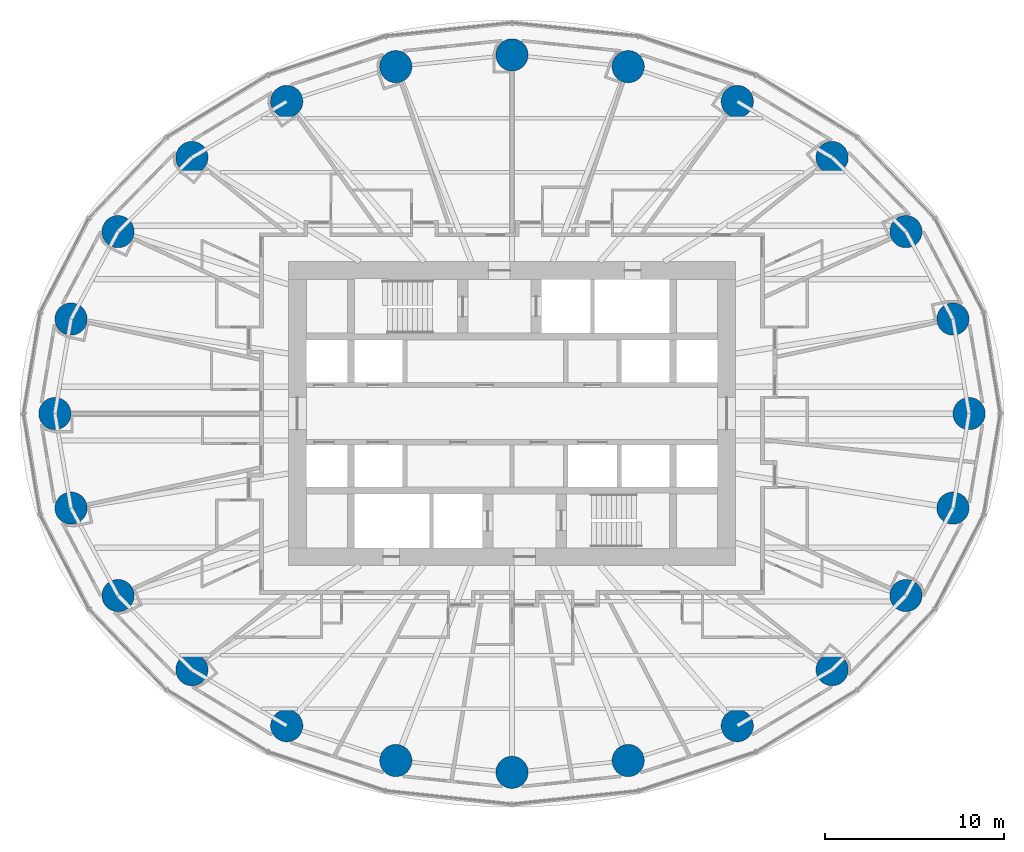
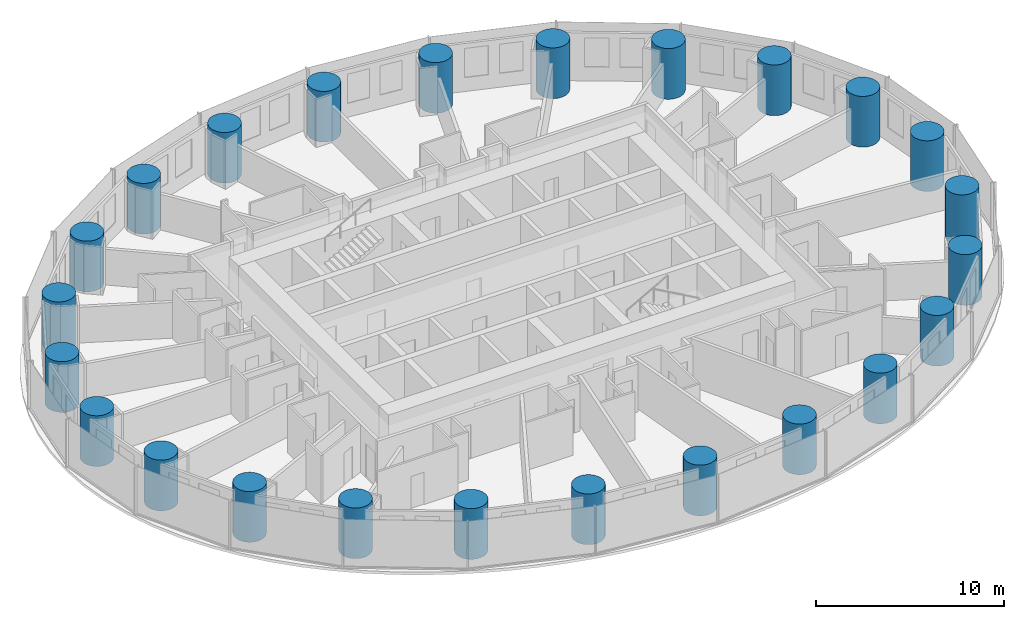
# One storey, part 1 of 14: 24 columns.
"""IFC4 building model written with IfcOpenShell, lengths in metres."""

from ifc_helpers import new_model, si_unit, direction, frame, origin, origin_2d, place, context, subcontext, project, spatial, circle, extrude, material, material_profile, profile_set, type_object, element, save


model = new_model("IFC4")

# Units and contexts
model_context = context("Model", 3, precision=1e-05, world=origin(), true_north=direction((0.0, 1.0)))
body_context = subcontext(model_context, "Body", "Model", "MODEL_VIEW")
ifc_project = project(units=[si_unit("LENGTHUNIT", "METRE"), si_unit("AREAUNIT", "SQUARE_METRE"), si_unit("VOLUMEUNIT", "CUBIC_METRE"), si_unit("PLANEANGLEUNIT", "RADIAN"), si_unit("MASSUNIT", "GRAM", prefix="KILO")], contexts=[model_context])

# Site, building, storey
site_placement = place(None, origin())
site = spatial("IfcSite", under=ifc_project, at=site_placement, CompositionType="ELEMENT")
building_placement = place(site_placement, origin())
building = spatial("IfcBuilding", under=site, at=building_placement, Name="Hankou Lantern Tower", CompositionType="ELEMENT")
storey_placement = place(building_placement, frame((0.0, 0.0, 36.0)))
storey = spatial("IfcBuildingStorey", under=building, at=storey_placement, Name="L07", CompositionType="ELEMENT", Elevation=36.0)

# Columns
ifc_material = material(Name="Concrete C60", Category="concrete")
ifc_material_profile = material_profile(ifc_material, circle(Radius=0.89990234375, at=origin_2d()), Name="RC D1800")
ifc_profile_set = profile_set([ifc_material_profile], Name="Concrete C60")
column_type = type_object("IfcColumnType", Name="TC1 PERIMETER COLUMN RC D1800", PredefinedType="COLUMN", material=ifc_profile_set)
for number, where, z_axis, x_axis, name in (
    (1, (25.550048828125, 0.0, 0.0), (0.0, 0.0, 1.0), (1.0, 0.0, 0.0), "Column R01 L07"),
    (2, (24.64697265625, 5.283203125, 0.0), (0.0, 0.0, 1.0), (1.0, 0.0, 0.0), "Column R02 L07"),
    (3, (22.01904296875, 10.170166015625, 0.0), (0.0, 0.0, 1.0), (1.0, 0.0, 0.0), "Column R03 L07"),
    (4, (17.891845703125, 14.3134765625, 0.0), (0.0, 0.0, 1.0), (1.0, 0.0, 0.0), "Column R04 L07"),
    (5, (12.5908203125, 17.446533203125, 0.0), (0.0, 0.0, 1.0), (1.0, 0.0, 0.0), "Column R05 L07"),
    (6, (6.494873046875, 19.391357421875, 0.0), (0.0, 0.0, 1.0), (1.0, 0.0, 0.0), "Column R06 L07"),
    (7, (0.0, 20.050048828125, 0.0), (0.0, 0.0, 1.0), (1.0, 0.0, 0.0), "Column R07 L07"),
    (8, (-6.494873046875, 19.391357421875, 0.0), (0.0, 0.0, 1.0), (1.0, 0.0, 0.0), "Column R08 L07"),
    (9, (-12.5908203125, 17.446533203125, 0.0), (0.0, 0.0, 1.0), (1.0, 0.0, 0.0), "Column R09 L07"),
    (10, (-17.891845703125, 14.3134765625, 0.0), (0.0, 0.0, 1.0), (1.0, 0.0, 0.0), "Column R10 L07"),
    (11, (-22.01904296875, 10.170166015625, 0.0), (0.0, 0.0, 1.0), (1.0, 0.0, 0.0), "Column R11 L07"),
    (12, (-24.64697265625, 5.283203125, 0.0), (0.0, 0.0, 1.0), (1.0, 0.0, 0.0), "Column R12 L07"),
    (13, (-25.550048828125, 0.0, 0.0), (0.0, 0.0, 1.0), (1.0, 0.0, 0.0), "Column R13 L07"),
    (14, (-24.64697265625, -5.283203125, 0.0), (0.0, 0.0, 1.0), (1.0, 0.0, 0.0), "Column R14 L07"),
    (15, (-22.01904296875, -10.170166015625, 0.0), (0.0, 0.0, 1.0), (1.0, 0.0, 0.0), "Column R15 L07"),
    (16, (-17.891845703125, -14.3134765625, 0.0), (0.0, 0.0, 1.0), (1.0, 0.0, 0.0), "Column R16 L07"),
    (17, (-12.5908203125, -17.446533203125, 0.0), (0.0, 0.0, 1.0), (1.0, 0.0, 0.0), "Column R17 L07"),
    (18, (-6.494873046875, -19.391357421875, 0.0), (0.0, 0.0, 1.0), (1.0, 0.0, 0.0), "Column R18 L07"),
    (19, (0.0, -20.050048828125, 0.0), (0.0, 0.0, 1.0), (1.0, 0.0, 0.0), "Column R19 L07"),
    (20, (6.494873046875, -19.391357421875, 0.0), (0.0, 0.0, 1.0), (1.0, 0.0, 0.0), "Column R20 L07"),
    (21, (12.5908203125, -17.446533203125, 0.0), (0.0, 0.0, 1.0), (1.0, 0.0, 0.0), "Column R21 L07"),
    (22, (17.891845703125, -14.3134765625, 0.0), (0.0, 0.0, 1.0), (1.0, 0.0, 0.0), "Column R22 L07"),
    (23, (22.01904296875, -10.170166015625, 0.0), (0.0, 0.0, 1.0), (1.0, 0.0, 0.0), "Column R23 L07"),
    (24, (24.64697265625, -5.283203125, 0.0), (0.0, 0.0, 1.0), (1.0, 0.0, 0.0), "Column R24 L07"),
):
    element("IfcColumn", number, at=place(storey_placement, frame(where, z_axis=z_axis, x_axis=x_axis)), inside=storey, type_object=column_type, Name=name, PredefinedType="COLUMN", context=body_context, shape_type="SweptSolid", body=[
        extrude(circle(Radius=0.89990234375, at=origin_2d()), origin(), (0.0, 0.0, 1.0), 3.300048828125),
    ])

save(model, "model.ifc")
